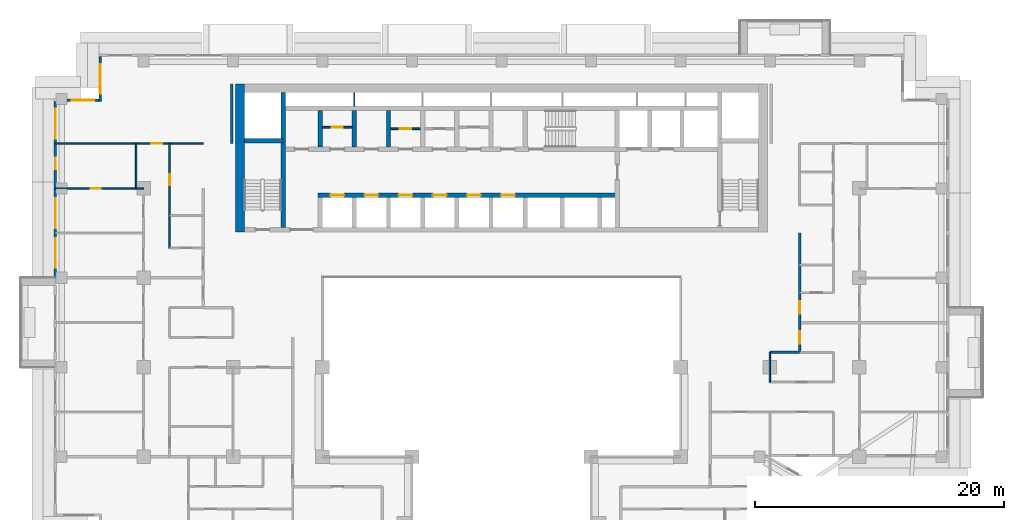
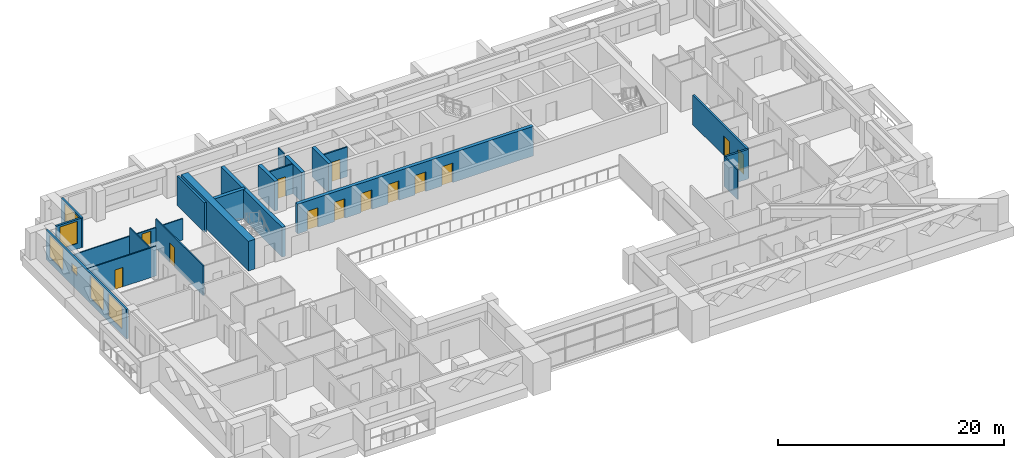
# One storey, part 9 of 19: 21 walls, 13 doors, 6 windows, 19 openings.
"""IFC4 building model written with IfcOpenShell, lengths in metres."""

from ifc_helpers import new_model, si_unit, direction, frame, frame_2d, origin, place, context, subcontext, project, spatial, rectangle, extrude, material, layer, layer_set, type_object, element, fill, save


model = new_model("IFC4")

# Units and contexts
model_context = context("Model", 3, precision=1e-05, world=origin(), true_north=direction((0.0, 1.0)))
body_context = subcontext(model_context, "Body", "Model", "MODEL_VIEW")
ifc_project = project(units=[si_unit("LENGTHUNIT", "METRE"), si_unit("AREAUNIT", "SQUARE_METRE"), si_unit("VOLUMEUNIT", "CUBIC_METRE"), si_unit("PLANEANGLEUNIT", "RADIAN"), si_unit("MASSUNIT", "GRAM", prefix="KILO")], contexts=[model_context])

# Site, building, storey
site_placement = place(None, origin())
site = spatial("IfcSite", under=ifc_project, at=site_placement, CompositionType="ELEMENT")
building_placement = place(site_placement, origin())
building = spatial("IfcBuilding", under=site, at=building_placement, Name="Saffron Iwan Residences", CompositionType="ELEMENT")
storey_placement = place(building_placement, frame((0.0, 0.0, 120.0)))
storey = spatial("IfcBuildingStorey", under=building, at=storey_placement, Name="L31", CompositionType="ELEMENT", Elevation=120.0)

# Wall, opening, door
ifc_material_1 = material(Name="Fire-rated plasterboard partition")
ifc_layer_1 = layer(ifc_material_1, 0.14990234375)
ifc_layer_set_1 = layer_set([ifc_layer_1], Name="Fire-rated plasterboard partition")
wall_type_1 = type_object("IfcWallType", Name="Core partition 150", PredefinedType="PARTITIONING", material=ifc_layer_set_1)
wall_1_placement = place(storey_placement, frame((35.97509765625, 74.51806640625, 0.0), z_axis=(0.0, 0.0, 1.0), x_axis=(1.0, 0.0, 0.0)))
wall_1 = element("IfcWall", 1, at=wall_1_placement, inside=storey, type_object=wall_type_1, Name="Core partition P01", PredefinedType="PARTITIONING", context=body_context, shape_type="SweptSolid", body=[
    extrude(rectangle(XDim=2.39990234375, YDim=0.14990234375, at=frame_2d((1.199951171875, 0.0))), origin(), (0.0, 0.0, 1.0), 3.199951171875),
])
opening_1_placement = place(wall_1_placement, frame((0.75, 0.0, 0.0)))
opening_1 = element("IfcOpeningElement", 2, at=opening_1_placement, cuts=wall_1, Name="Opening SB", PredefinedType="OPENING", context=body_context, shape_type="SweptSolid", body=[
    extrude(rectangle(XDim=0.89990234375, YDim=2.10009765625, at=frame_2d((0.449951171875, 1.050048828125))), frame((0.0, 0.0849609375, 0.0), z_axis=(0.0, -1.0, 0.0), x_axis=(1.0, 0.0, 0.0)), (0.0, 0.0, 1.0), 0.169921875),
])
ifc_material_2 = material(Name="Steel fire door", Category="steel")
door_type_1 = type_object("IfcDoorType", Name="Store door 900", OperationType="NOTDEFINED", PredefinedType="DOOR", material=ifc_material_2)
door_1_placement = place(opening_1_placement, origin())
door_1 = element("IfcDoor", 3, at=door_1_placement, inside=storey, type_object=door_type_1, Name="Door Records store", OperationType="SINGLE_SWING_RIGHT", OverallHeight=2.10009765625, OverallWidth=0.89990234375, PredefinedType="DOOR", context=body_context, shape_type="SweptSolid", body=[
    extrude(rectangle(XDim=0.89990234375, YDim=2.10009765625, at=frame_2d((0.449951171875, 1.050048828125))), frame((0.0, 0.02490234375, 0.0), z_axis=(0.0, -1.0, 0.0), x_axis=(1.0, 0.0, 0.0)), (0.0, 0.0, 1.0), 0.050048828125),
])
fill(opening_1, door_1)

wall_2_placement = place(storey_placement, frame((41.47509765625, 74.39990234375, 0.0), z_axis=(0.0, 0.0, 1.0), x_axis=(1.0, 0.0, 0.0)))
wall_2 = element("IfcWall", 4, at=wall_2_placement, inside=storey, type_object=wall_type_1, Name="Core partition P02", PredefinedType="PARTITIONING", context=body_context, shape_type="SweptSolid", body=[
    extrude(rectangle(XDim=2.39990234375, YDim=0.14990234375, at=frame_2d((1.199951171875, 0.0))), origin(), (0.0, 0.0, 1.0), 3.199951171875),
])
opening_2_placement = place(wall_2_placement, frame((0.75, 0.0, 0.0)))
opening_2 = element("IfcOpeningElement", 5, at=opening_2_placement, cuts=wall_2, Name="Opening SB", PredefinedType="OPENING", context=body_context, shape_type="SweptSolid", body=[
    extrude(rectangle(XDim=0.89990234375, YDim=2.10009765625, at=frame_2d((0.449951171875, 1.050048828125))), frame((0.0, 0.0849609375, 0.0), z_axis=(0.0, -1.0, 0.0), x_axis=(1.0, 0.0, 0.0)), (0.0, 0.0, 1.0), 0.169921875),
])
door_2_placement = place(opening_2_placement, origin())
door_2 = element("IfcDoor", 6, at=door_2_placement, inside=storey, type_object=door_type_1, Name="Door Tool store", OperationType="SINGLE_SWING_LEFT", OverallHeight=2.10009765625, OverallWidth=0.89990234375, PredefinedType="DOOR", context=body_context, shape_type="SweptSolid", body=[
    extrude(rectangle(XDim=0.89990234375, YDim=2.10009765625, at=frame_2d((0.449951171875, 1.050048828125))), frame((0.0, 0.02490234375, 0.0), z_axis=(0.0, -1.0, 0.0), x_axis=(1.0, 0.0, 0.0)), (0.0, 0.0, 1.0), 0.050048828125),
])
fill(opening_2, door_2)

# Wall, opening, window
ifc_material_3 = material(Name="Concrete C40/50", Category="concrete")
ifc_layer_2 = layer(ifc_material_3, 0.199951171875)
ifc_layer_set_2 = layer_set([ifc_layer_2], Name="Concrete C40/50")
wall_type_2 = type_object("IfcWallType", Name="EXTERNAL WALL 200", PredefinedType="SOLIDWALL", material=ifc_layer_set_2)
wall_3_placement = place(storey_placement, frame((18.10009765625, 80.199951171875, 0.0), z_axis=(0.0, 0.0, 1.0), x_axis=(0.0, -1.0, 0.0)))
wall_3 = element("IfcWall", 7, at=wall_3_placement, inside=storey, type_object=wall_type_2, Name="External wall L31 F6.0", PredefinedType="SOLIDWALL", context=body_context, shape_type="SweptSolid", body=[
    extrude(rectangle(XDim=3.599853515625, YDim=0.199951171875, at=frame_2d((1.7998046875, 0.0))), origin(), (0.0, 0.0, 1.0), 3.199951171875),
])
opening_3_placement = place(wall_3_placement, frame((0.60009765625, 0.0, 0.60009765625)))
opening_3 = element("IfcOpeningElement", 8, at=opening_3_placement, cuts=wall_3, Name="Opening W1", PredefinedType="OPENING", context=body_context, shape_type="SweptSolid", body=[
    extrude(rectangle(XDim=2.39990234375, YDim=2.39990234375, at=frame_2d((1.199951171875, 1.199951171875))), frame((0.0, 0.10986328125, 0.0), z_axis=(0.0, -1.0, 0.0), x_axis=(1.0, 0.0, 0.0)), (0.0, 0.0, 1.0), 0.219970703125),
])
ifc_material_4 = material(Name="Clear glass, laminated double glazed", Category="glass")
window_type_1 = type_object("IfcWindowType", Name="WINDOW 2400 x 2400", PartitioningType="DOUBLE_PANEL_VERTICAL", PredefinedType="WINDOW", material=ifc_material_4)
window_1_placement = place(opening_3_placement, origin())
window_1 = element("IfcWindow", 9, at=window_1_placement, inside=storey, type_object=window_type_1, Name="Window L31 F6.0", OverallHeight=2.39990234375, OverallWidth=2.39990234375, PartitioningType="DOUBLE_PANEL_VERTICAL", PredefinedType="WINDOW", context=body_context, shape_type="SweptSolid", body=[
    extrude(rectangle(XDim=2.39990234375, YDim=2.39990234375, at=frame_2d((1.199951171875, 1.199951171875))), frame((0.0, 0.030029296875, 0.0), z_axis=(0.0, -1.0, 0.0), x_axis=(1.0, 0.0, 0.0)), (0.0, 0.0, 1.0), 0.06005859375),
])
fill(opening_3, window_1)

wall_4_placement = place(storey_placement, frame((18.0, 76.699951171875, 0.0), z_axis=(0.0, 0.0, 1.0), x_axis=(-1.0, 0.0, 0.0)))
wall_4 = element("IfcWall", 10, at=wall_4_placement, inside=storey, type_object=wall_type_2, Name="External wall L31 F7.0", PredefinedType="SOLIDWALL", context=body_context, shape_type="SweptSolid", body=[
    extrude(rectangle(XDim=2.550048828125, YDim=0.199951171875, at=frame_2d((1.27490234375, 0.0))), origin(), (0.0, 0.0, 1.0), 3.199951171875),
])
opening_4_placement = place(wall_4_placement, frame((0.375, 0.0, 0.60009765625)))
opening_4 = element("IfcOpeningElement", 11, at=opening_4_placement, cuts=wall_4, Name="Opening W8", PredefinedType="OPENING", context=body_context, shape_type="SweptSolid", body=[
    extrude(rectangle(XDim=1.800048828125, YDim=2.39990234375, at=frame_2d((0.89990234375, 1.199951171875))), frame((0.0, 0.10986328125, 0.0), z_axis=(0.0, -1.0, 0.0), x_axis=(1.0, 0.0, 0.0)), (0.0, 0.0, 1.0), 0.219970703125),
])
window_type_2 = type_object("IfcWindowType", Name="WINDOW 1800 x 2400", PartitioningType="DOUBLE_PANEL_VERTICAL", PredefinedType="WINDOW", material=ifc_material_4)
window_2_placement = place(opening_4_placement, origin())
window_2 = element("IfcWindow", 12, at=window_2_placement, inside=storey, type_object=window_type_2, Name="Window L31 F7.0", OverallHeight=2.39990234375, OverallWidth=1.800048828125, PartitioningType="DOUBLE_PANEL_VERTICAL", PredefinedType="WINDOW", context=body_context, shape_type="SweptSolid", body=[
    extrude(rectangle(XDim=1.800048828125, YDim=2.39990234375, at=frame_2d((0.89990234375, 1.199951171875))), frame((0.0, 0.030029296875, 0.0), z_axis=(0.0, -1.0, 0.0), x_axis=(1.0, 0.0, 0.0)), (0.0, 0.0, 1.0), 0.06005859375),
])
fill(opening_4, window_2)

# Wall, openings, windows
wall_5_placement = place(storey_placement, frame((14.5, 76.60009765625, 0.0), z_axis=(0.0, 0.0, 1.0), x_axis=(0.0, -1.0, 0.0)))
wall_5 = element("IfcWall", 13, at=wall_5_placement, inside=storey, type_object=wall_type_2, Name="External wall L31 F8.0", PredefinedType="SOLIDWALL", context=body_context, shape_type="SweptSolid", body=[
    extrude(rectangle(XDim=14.2001953125, YDim=0.199951171875, at=frame_2d((7.10009765625, 0.0))), origin(), (0.0, 0.0, 1.0), 3.199951171875),
])
opening_5_placement = place(wall_5_placement, frame((11.0, 0.0, 0.60009765625)))
opening_5 = element("IfcOpeningElement", 14, at=opening_5_placement, cuts=wall_5, Name="Opening W1", PredefinedType="OPENING", context=body_context, shape_type="SweptSolid", body=[
    extrude(rectangle(XDim=2.39990234375, YDim=2.39990234375, at=frame_2d((1.199951171875, 1.199951171875))), frame((0.0, 0.10986328125, 0.0), z_axis=(0.0, -1.0, 0.0), x_axis=(1.0, 0.0, 0.0)), (0.0, 0.0, 1.0), 0.219970703125),
])
opening_6_placement = place(wall_5_placement, frame((7.800048828125, 0.0, 0.60009765625)))
opening_6 = element("IfcOpeningElement", 15, at=opening_6_placement, cuts=wall_5, Name="Opening W1", PredefinedType="OPENING", context=body_context, shape_type="SweptSolid", body=[
    extrude(rectangle(XDim=2.39990234375, YDim=2.39990234375, at=frame_2d((1.199951171875, 1.199951171875))), frame((0.0, 0.10986328125, 0.0), z_axis=(0.0, -1.0, 0.0), x_axis=(1.0, 0.0, 0.0)), (0.0, 0.0, 1.0), 0.219970703125),
])
opening_7_placement = place(wall_5_placement, frame((4.550048828125, 0.0, 1.5)))
opening_7 = element("IfcOpeningElement", 16, at=opening_7_placement, cuts=wall_5, Name="Opening W6", PredefinedType="OPENING", context=body_context, shape_type="SweptSolid", body=[
    extrude(rectangle(XDim=0.89990234375, YDim=0.89990234375, at=frame_2d((0.449951171875, 0.449951171875))), frame((0.0, 0.10986328125, 0.0), z_axis=(0.0, -1.0, 0.0), x_axis=(1.0, 0.0, 0.0)), (0.0, 0.0, 1.0), 0.219970703125),
])
opening_8_placement = place(wall_5_placement, frame((0.60009765625, 0.0, 0.60009765625)))
opening_8 = element("IfcOpeningElement", 17, at=opening_8_placement, cuts=wall_5, Name="Opening W1", PredefinedType="OPENING", context=body_context, shape_type="SweptSolid", body=[
    extrude(rectangle(XDim=2.39990234375, YDim=2.39990234375, at=frame_2d((1.199951171875, 1.199951171875))), frame((0.0, 0.10986328125, 0.0), z_axis=(0.0, -1.0, 0.0), x_axis=(1.0, 0.0, 0.0)), (0.0, 0.0, 1.0), 0.219970703125),
])
window_3_placement = place(opening_5_placement, origin())
window_3 = element("IfcWindow", 18, at=window_3_placement, inside=storey, type_object=window_type_1, Name="Window L31 F8.0", OverallHeight=2.39990234375, OverallWidth=2.39990234375, PartitioningType="DOUBLE_PANEL_VERTICAL", PredefinedType="WINDOW", context=body_context, shape_type="SweptSolid", body=[
    extrude(rectangle(XDim=2.39990234375, YDim=2.39990234375, at=frame_2d((1.199951171875, 1.199951171875))), frame((0.0, 0.030029296875, 0.0), z_axis=(0.0, -1.0, 0.0), x_axis=(1.0, 0.0, 0.0)), (0.0, 0.0, 1.0), 0.06005859375),
])
fill(opening_5, window_3)
window_4_placement = place(opening_6_placement, origin())
window_4 = element("IfcWindow", 19, at=window_4_placement, inside=storey, type_object=window_type_1, Name="Window L31 F8.1", OverallHeight=2.39990234375, OverallWidth=2.39990234375, PartitioningType="DOUBLE_PANEL_VERTICAL", PredefinedType="WINDOW", context=body_context, shape_type="SweptSolid", body=[
    extrude(rectangle(XDim=2.39990234375, YDim=2.39990234375, at=frame_2d((1.199951171875, 1.199951171875))), frame((0.0, 0.030029296875, 0.0), z_axis=(0.0, -1.0, 0.0), x_axis=(1.0, 0.0, 0.0)), (0.0, 0.0, 1.0), 0.06005859375),
])
fill(opening_6, window_4)
window_5_placement = place(opening_8_placement, origin())
window_5 = element("IfcWindow", 20, at=window_5_placement, inside=storey, type_object=window_type_1, Name="Window L31 F8.3", OverallHeight=2.39990234375, OverallWidth=2.39990234375, PartitioningType="DOUBLE_PANEL_VERTICAL", PredefinedType="WINDOW", context=body_context, shape_type="SweptSolid", body=[
    extrude(rectangle(XDim=2.39990234375, YDim=2.39990234375, at=frame_2d((1.199951171875, 1.199951171875))), frame((0.0, 0.030029296875, 0.0), z_axis=(0.0, -1.0, 0.0), x_axis=(1.0, 0.0, 0.0)), (0.0, 0.0, 1.0), 0.06005859375),
])
fill(opening_8, window_5)
window_type_3 = type_object("IfcWindowType", Name="WINDOW 900 x 900 BATH", PartitioningType="SINGLE_PANEL", PredefinedType="WINDOW", material=ifc_material_4)
window_6_placement = place(opening_7_placement, origin())
window_6 = element("IfcWindow", 21, at=window_6_placement, inside=storey, type_object=window_type_3, Name="Window L31 F8.2", OverallHeight=0.89990234375, OverallWidth=0.89990234375, PartitioningType="SINGLE_PANEL", PredefinedType="WINDOW", context=body_context, shape_type="SweptSolid", body=[
    extrude(rectangle(XDim=0.89990234375, YDim=0.89990234375, at=frame_2d((0.449951171875, 0.449951171875))), frame((0.0, 0.030029296875, 0.0), z_axis=(0.0, -1.0, 0.0), x_axis=(1.0, 0.0, 0.0)), (0.0, 0.0, 1.0), 0.06005859375),
])
fill(opening_7, window_6)

# Wall, opening, door
ifc_material_5 = material(Name="Gypsum board partition")
ifc_layer_3 = layer(ifc_material_5, 0.1201171875)
ifc_layer_set_3 = layer_set([ifc_layer_3], Name="Gypsum board partition")
wall_type_3 = type_object("IfcWallType", Name="Flat partition 120", PredefinedType="PARTITIONING", material=ifc_layer_set_3)
wall_6_placement = place(storey_placement, frame((14.52490234375, 69.60009765625, 0.0), z_axis=(0.0, 0.0, 1.0), x_axis=(1.0, 0.0, 0.0)))
wall_6 = element("IfcWall", 22, at=wall_6_placement, inside=storey, type_object=wall_type_3, Name="W-L31-PART-h69.6-14.525", PredefinedType="PARTITIONING", context=body_context, shape_type="SweptSolid", body=[
    extrude(rectangle(XDim=7.0751953125, YDim=0.1201171875, at=frame_2d((3.53759765625, 0.0))), origin(), (0.0, 0.0, 1.0), 3.199951171875),
])
opening_9_placement = place(wall_6_placement, frame((2.83740234375, 0.0, 0.0)))
opening_9 = element("IfcOpeningElement", 23, at=opening_9_placement, cuts=wall_6, Name="Opening FD3", PredefinedType="OPENING", context=body_context, shape_type="SweptSolid", body=[
    extrude(rectangle(XDim=0.800048828125, YDim=2.10009765625, at=frame_2d((0.39990234375, 1.050048828125))), frame((0.0, 0.070068359375, 0.0), z_axis=(0.0, -1.0, 0.0), x_axis=(1.0, 0.0, 0.0)), (0.0, 0.0, 1.0), 0.14013671875),
])
ifc_material_6 = material(Name="Timber door", Category="wood")
door_type_2 = type_object("IfcDoorType", Name="Bathroom door 800", OperationType="NOTDEFINED", PredefinedType="DOOR", material=ifc_material_6)
door_3_placement = place(opening_9_placement, origin())
door_3 = element("IfcDoor", 24, at=door_3_placement, inside=storey, type_object=door_type_2, Name="Door L31-025", OperationType="SINGLE_SWING_LEFT", OverallHeight=2.10009765625, OverallWidth=0.800048828125, PredefinedType="DOOR", context=body_context, shape_type="SweptSolid", body=[
    extrude(rectangle(XDim=0.800048828125, YDim=2.10009765625, at=frame_2d((0.39990234375, 1.050048828125))), frame((0.0, 0.02490234375, 0.0), z_axis=(0.0, -1.0, 0.0), x_axis=(1.0, 0.0, 0.0)), (0.0, 0.0, 1.0), 0.050048828125),
])
fill(opening_9, door_3)

wall_7_placement = place(storey_placement, frame((14.52490234375, 73.199951171875, 0.0), z_axis=(0.0, 0.0, 1.0), x_axis=(1.0, 0.0, 0.0)))
wall_7 = element("IfcWall", 25, at=wall_7_placement, inside=storey, type_object=wall_type_3, Name="W-L31-PART-h73.2-14.525", PredefinedType="PARTITIONING", context=body_context, shape_type="SweptSolid", body=[
    extrude(rectangle(XDim=11.875, YDim=0.1201171875, at=frame_2d((5.9375, 0.0))), origin(), (0.0, 0.0, 1.0), 2.300048828125),
])
opening_10_placement = place(wall_7_placement, frame((7.675048828125, 0.0, 0.0)))
opening_10 = element("IfcOpeningElement", 26, at=opening_10_placement, cuts=wall_7, Name="Opening FD2", PredefinedType="OPENING", context=body_context, shape_type="SweptSolid", body=[
    extrude(rectangle(XDim=0.89990234375, YDim=2.10009765625, at=frame_2d((0.449951171875, 1.050048828125))), frame((0.0, 0.070068359375, 0.0), z_axis=(0.0, -1.0, 0.0), x_axis=(1.0, 0.0, 0.0)), (0.0, 0.0, 1.0), 0.14013671875),
])
door_type_3 = type_object("IfcDoorType", Name="Flat door 900", OperationType="NOTDEFINED", PredefinedType="DOOR", material=ifc_material_6)
door_4_placement = place(opening_10_placement, origin())
door_4 = element("IfcDoor", 27, at=door_4_placement, inside=storey, type_object=door_type_3, Name="Door L31-026", OperationType="SINGLE_SWING_LEFT", OverallHeight=2.10009765625, OverallWidth=0.89990234375, PredefinedType="DOOR", context=body_context, shape_type="SweptSolid", body=[
    extrude(rectangle(XDim=0.89990234375, YDim=2.10009765625, at=frame_2d((0.449951171875, 1.050048828125))), frame((0.0, 0.02490234375, 0.0), z_axis=(0.0, -1.0, 0.0), x_axis=(1.0, 0.0, 0.0)), (0.0, 0.0, 1.0), 0.050048828125),
])
fill(opening_10, door_4)

# Wall
wall_8_placement = place(storey_placement, frame((21.0, 69.60009765625, 0.0), z_axis=(0.0, 0.0, 1.0), x_axis=(0.0, 1.0, 0.0)))
element("IfcWall", 28, at=wall_8_placement, inside=storey, type_object=wall_type_3, Name="W-L31-PART-v21-69.6", PredefinedType="PARTITIONING", context=body_context, shape_type="SweptSolid", body=[
    extrude(rectangle(XDim=3.599853515625, YDim=0.1201171875, at=frame_2d((1.7998046875, 0.0))), origin(), (0.0, 0.0, 1.0), 3.199951171875),
])

# Wall, opening, door
wall_9_placement = place(storey_placement, frame((23.699951171875, 64.800048828125, 0.0), z_axis=(0.0, 0.0, 1.0), x_axis=(0.0, 1.0, 0.0)))
wall_9 = element("IfcWall", 29, at=wall_9_placement, inside=storey, type_object=wall_type_3, Name="W-L31-PART-v23.7-64.8", PredefinedType="PARTITIONING", context=body_context, shape_type="SweptSolid", body=[
    extrude(rectangle(XDim=8.39990234375, YDim=0.1201171875, at=frame_2d((4.199951171875, 0.0))), origin(), (0.0, 0.0, 1.0), 3.199951171875),
])
opening_11_placement = place(wall_9_placement, frame((5.050048828125, 0.0, 0.0)))
opening_11 = element("IfcOpeningElement", 30, at=opening_11_placement, cuts=wall_9, Name="Opening FD2", PredefinedType="OPENING", context=body_context, shape_type="SweptSolid", body=[
    extrude(rectangle(XDim=0.89990234375, YDim=2.10009765625, at=frame_2d((0.449951171875, 1.050048828125))), frame((0.0, 0.070068359375, 0.0), z_axis=(0.0, -1.0, 0.0), x_axis=(1.0, 0.0, 0.0)), (0.0, 0.0, 1.0), 0.14013671875),
])
door_5_placement = place(opening_11_placement, origin())
door_5 = element("IfcDoor", 31, at=door_5_placement, inside=storey, type_object=door_type_3, Name="Door L31-028", OperationType="SINGLE_SWING_LEFT", OverallHeight=2.10009765625, OverallWidth=0.89990234375, PredefinedType="DOOR", context=body_context, shape_type="SweptSolid", body=[
    extrude(rectangle(XDim=0.89990234375, YDim=2.10009765625, at=frame_2d((0.449951171875, 1.050048828125))), frame((0.0, 0.02490234375, 0.0), z_axis=(0.0, -1.0, 0.0), x_axis=(1.0, 0.0, 0.0)), (0.0, 0.0, 1.0), 0.050048828125),
])
fill(opening_11, door_5)

# Walls
wall_10_placement = place(storey_placement, frame((72.0, 54.0, 0.0), z_axis=(0.0, 0.0, 1.0), x_axis=(0.0, 1.0, 0.0)))
element("IfcWall", 32, at=wall_10_placement, inside=storey, type_object=wall_type_3, Name="W-L31-PART-v72-54", PredefinedType="PARTITIONING", context=body_context, shape_type="SweptSolid", body=[
    extrude(rectangle(XDim=2.39990234375, YDim=0.1201171875, at=frame_2d((1.199951171875, 0.0))), origin(), (0.0, 0.0, 1.0), 3.199951171875),
])
ifc_material_7 = material(Name="Fire-rated gypsum board wall")
ifc_layer_4 = layer(ifc_material_7, 0.199951171875)
ifc_layer_set_4 = layer_set([ifc_layer_4], Name="Fire-rated gypsum board wall")
wall_type_4 = type_object("IfcWallType", Name="Gallery wall 200", PredefinedType="SOLIDWALL", material=ifc_layer_set_4)
wall_11_placement = place(storey_placement, frame((72.0, 56.39990234375, 0.0), z_axis=(0.0, 0.0, 1.0), x_axis=(1.0, 0.0, 0.0)))
element("IfcWall", 33, at=wall_11_placement, inside=storey, type_object=wall_type_4, Name="W-L31-CORR-h56.4-72", PredefinedType="SOLIDWALL", context=body_context, shape_type="SweptSolid", body=[
    extrude(rectangle(XDim=2.39990234375, YDim=0.199951171875, at=frame_2d((1.199951171875, 0.0))), origin(), (0.0, 0.0, 1.0), 3.199951171875),
])
wall_12_placement = place(storey_placement, frame((28.699951171875, 73.199951171875, 0.0), z_axis=(0.0, 0.0, 1.0), x_axis=(0.0, 1.0, 0.0)))
element("IfcWall", 34, at=wall_12_placement, inside=storey, type_object=wall_type_4, Name="W-L31-CORR-v28.8-73.2", PredefinedType="SOLIDWALL", context=body_context, shape_type="SweptSolid", body=[
    extrude(rectangle(XDim=4.800048828125, YDim=0.199951171875, at=frame_2d((2.39990234375, 0.0))), origin(), (0.0, 0.0, 1.0), 3.199951171875),
])

# Wall, openings, doors
wall_13_placement = place(storey_placement, frame((74.39990234375, 56.39990234375, 0.0), z_axis=(0.0, 0.0, 1.0), x_axis=(0.0, 1.0, 0.0)))
wall_13 = element("IfcWall", 35, at=wall_13_placement, inside=storey, type_object=wall_type_4, Name="W-L31-CORR-v74.4-56.4", PredefinedType="SOLIDWALL", context=body_context, shape_type="SweptSolid", body=[
    extrude(rectangle(XDim=9.60009765625, YDim=0.199951171875, at=frame_2d((4.800048828125, 0.0))), origin(), (0.0, 0.0, 1.0), 3.199951171875),
])
opening_12_placement = place(wall_13_placement, frame((0.699951171875, 0.0, 0.0)))
opening_12 = element("IfcOpeningElement", 36, at=opening_12_placement, cuts=wall_13, Name="Opening FD1", PredefinedType="OPENING", context=body_context, shape_type="SweptSolid", body=[
    extrude(rectangle(XDim=1.0, YDim=2.10009765625, at=frame_2d((0.5, 1.050048828125))), frame((0.0, 0.10986328125, 0.0), z_axis=(0.0, -1.0, 0.0), x_axis=(1.0, 0.0, 0.0)), (0.0, 0.0, 1.0), 0.219970703125),
])
opening_13_placement = place(wall_13_placement, frame((3.10009765625, 0.0, 0.0)))
opening_13 = element("IfcOpeningElement", 37, at=opening_13_placement, cuts=wall_13, Name="Opening FD1", PredefinedType="OPENING", context=body_context, shape_type="SweptSolid", body=[
    extrude(rectangle(XDim=1.0, YDim=2.10009765625, at=frame_2d((0.5, 1.050048828125))), frame((0.0, 0.10986328125, 0.0), z_axis=(0.0, -1.0, 0.0), x_axis=(1.0, 0.0, 0.0)), (0.0, 0.0, 1.0), 0.219970703125),
])
ifc_material_8 = material(Name="Fire-rated timber door", Category="wood")
door_type_4 = type_object("IfcDoorType", Name="FD30S flat entrance door 1000", OperationType="NOTDEFINED", PredefinedType="DOOR", material=ifc_material_8)
door_6_placement = place(opening_12_placement, origin())
door_6 = element("IfcDoor", 38, at=door_6_placement, inside=storey, type_object=door_type_4, Name="Door L31-016", OperationType="SINGLE_SWING_LEFT", OverallHeight=2.10009765625, OverallWidth=1.0, PredefinedType="DOOR", context=body_context, shape_type="SweptSolid", body=[
    extrude(rectangle(XDim=1.0, YDim=2.10009765625, at=frame_2d((0.5, 1.050048828125))), frame((0.0, 0.02490234375, 0.0), z_axis=(0.0, -1.0, 0.0), x_axis=(1.0, 0.0, 0.0)), (0.0, 0.0, 1.0), 0.050048828125),
])
fill(opening_12, door_6)
door_7_placement = place(opening_13_placement, origin())
door_7 = element("IfcDoor", 39, at=door_7_placement, inside=storey, type_object=door_type_4, Name="Door L31-029", OperationType="SINGLE_SWING_LEFT", OverallHeight=2.10009765625, OverallWidth=1.0, PredefinedType="DOOR", context=body_context, shape_type="SweptSolid", body=[
    extrude(rectangle(XDim=1.0, YDim=2.10009765625, at=frame_2d((0.5, 1.050048828125))), frame((0.0, 0.02490234375, 0.0), z_axis=(0.0, -1.0, 0.0), x_axis=(1.0, 0.0, 0.0)), (0.0, 0.0, 1.0), 0.050048828125),
])
fill(opening_13, door_7)

# Wall
ifc_layer_5 = layer(ifc_material_1, 0.10009765625)
ifc_layer_set_5 = layer_set([ifc_layer_5], Name="Fire-rated plasterboard partition")
wall_type_5 = type_object("IfcWallType", Name="Riser partition 100", PredefinedType="PARTITIONING", material=ifc_layer_set_5)
wall_14_placement = place(storey_placement, frame((38.550048828125, 76.22509765625, 0.0), z_axis=(0.0, 0.0, 1.0), x_axis=(0.0, 1.0, 0.0)))
element("IfcWall", 40, at=wall_14_placement, inside=storey, type_object=wall_type_5, Name="Core partition P05", PredefinedType="PARTITIONING", context=body_context, shape_type="SweptSolid", body=[
    extrude(rectangle(XDim=1.074951171875, YDim=0.10009765625, at=frame_2d((0.53759765625, 0.0))), origin(), (0.0, 0.0, 1.0), 3.199951171875),
])

# Wall, openings, doors
ifc_material_9 = material(Name="Concrete C50/60", Category="concrete")
ifc_layer_6 = layer(ifc_material_9, 0.35009765625)
ifc_layer_set_6 = layer_set([ifc_layer_6], Name="Concrete C50/60")
wall_type_6 = type_object("IfcWallType", Name="WALL CORE 350 C50/60 3200 HIGH", PredefinedType="SHEAR", material=ifc_layer_set_6)
wall_15_placement = place(storey_placement, frame((35.625, 69.050048828125, 0.0), z_axis=(0.0, 0.0, 1.0), x_axis=(1.0, 0.0, 0.0)))
wall_15 = element("IfcWall", 41, at=wall_15_placement, inside=storey, type_object=wall_type_6, Name="Core wall", PredefinedType="SHEAR", context=body_context, shape_type="SweptSolid", body=[
    extrude(rectangle(XDim=24.10009765625, YDim=0.35009765625, at=frame_2d((12.050048828125, 0.0))), origin(), (0.0, 0.0, 1.0), 3.199951171875),
])
opening_14_placement = place(wall_15_placement, frame((1.0, 0.0, 0.0)))
opening_14 = element("IfcOpeningElement", 42, at=opening_14_placement, cuts=wall_15, Name="Opening LD", PredefinedType="OPENING", context=body_context, shape_type="SweptSolid", body=[
    extrude(rectangle(XDim=1.10009765625, YDim=2.10009765625, at=frame_2d((0.550048828125, 1.050048828125))), frame((0.0, 0.18505859375, 0.0), z_axis=(0.0, -1.0, 0.0), x_axis=(1.0, 0.0, 0.0)), (0.0, 0.0, 1.0), 0.3701171875),
])
opening_15_placement = place(wall_15_placement, frame((3.75, 0.0, 0.0)))
opening_15 = element("IfcOpeningElement", 43, at=opening_15_placement, cuts=wall_15, Name="Opening LD", PredefinedType="OPENING", context=body_context, shape_type="SweptSolid", body=[
    extrude(rectangle(XDim=1.10009765625, YDim=2.10009765625, at=frame_2d((0.550048828125, 1.050048828125))), frame((0.0, 0.18505859375, 0.0), z_axis=(0.0, -1.0, 0.0), x_axis=(1.0, 0.0, 0.0)), (0.0, 0.0, 1.0), 0.3701171875),
])
opening_16_placement = place(wall_15_placement, frame((6.5, 0.0, 0.0)))
opening_16 = element("IfcOpeningElement", 44, at=opening_16_placement, cuts=wall_15, Name="Opening LD", PredefinedType="OPENING", context=body_context, shape_type="SweptSolid", body=[
    extrude(rectangle(XDim=1.10009765625, YDim=2.10009765625, at=frame_2d((0.550048828125, 1.050048828125))), frame((0.0, 0.18505859375, 0.0), z_axis=(0.0, -1.0, 0.0), x_axis=(1.0, 0.0, 0.0)), (0.0, 0.0, 1.0), 0.3701171875),
])
opening_17_placement = place(wall_15_placement, frame((9.25, 0.0, 0.0)))
opening_17 = element("IfcOpeningElement", 45, at=opening_17_placement, cuts=wall_15, Name="Opening LD", PredefinedType="OPENING", context=body_context, shape_type="SweptSolid", body=[
    extrude(rectangle(XDim=1.10009765625, YDim=2.10009765625, at=frame_2d((0.550048828125, 1.050048828125))), frame((0.0, 0.18505859375, 0.0), z_axis=(0.0, -1.0, 0.0), x_axis=(1.0, 0.0, 0.0)), (0.0, 0.0, 1.0), 0.3701171875),
])
opening_18_placement = place(wall_15_placement, frame((12.0, 0.0, 0.0)))
opening_18 = element("IfcOpeningElement", 46, at=opening_18_placement, cuts=wall_15, Name="Opening LD", PredefinedType="OPENING", context=body_context, shape_type="SweptSolid", body=[
    extrude(rectangle(XDim=1.10009765625, YDim=2.10009765625, at=frame_2d((0.550048828125, 1.050048828125))), frame((0.0, 0.18505859375, 0.0), z_axis=(0.0, -1.0, 0.0), x_axis=(1.0, 0.0, 0.0)), (0.0, 0.0, 1.0), 0.3701171875),
])
opening_19_placement = place(wall_15_placement, frame((14.75, 0.0, 0.0)))
opening_19 = element("IfcOpeningElement", 47, at=opening_19_placement, cuts=wall_15, Name="Opening LD", PredefinedType="OPENING", context=body_context, shape_type="SweptSolid", body=[
    extrude(rectangle(XDim=1.10009765625, YDim=2.10009765625, at=frame_2d((0.550048828125, 1.050048828125))), frame((0.0, 0.18505859375, 0.0), z_axis=(0.0, -1.0, 0.0), x_axis=(1.0, 0.0, 0.0)), (0.0, 0.0, 1.0), 0.3701171875),
])
door_type_5 = type_object("IfcDoorType", Name="Lift landing door 1100", OperationType="SLIDING_TO_LEFT", PredefinedType="DOOR", material=ifc_material_2)
door_8_placement = place(opening_14_placement, origin())
door_8 = element("IfcDoor", 48, at=door_8_placement, inside=storey, type_object=door_type_5, Name="Landing doors LR1", OperationType="SLIDING_TO_LEFT", OverallHeight=2.10009765625, OverallWidth=1.10009765625, PredefinedType="DOOR", context=body_context, shape_type="SweptSolid", body=[
    extrude(rectangle(XDim=1.10009765625, YDim=2.10009765625, at=frame_2d((0.550048828125, 1.050048828125))), frame((0.0, 0.02490234375, 0.0), z_axis=(0.0, -1.0, 0.0), x_axis=(1.0, 0.0, 0.0)), (0.0, 0.0, 1.0), 0.050048828125),
])
fill(opening_14, door_8)
door_9_placement = place(opening_15_placement, origin())
door_9 = element("IfcDoor", 49, at=door_9_placement, inside=storey, type_object=door_type_5, Name="Landing doors LR2", OperationType="SLIDING_TO_LEFT", OverallHeight=2.10009765625, OverallWidth=1.10009765625, PredefinedType="DOOR", context=body_context, shape_type="SweptSolid", body=[
    extrude(rectangle(XDim=1.10009765625, YDim=2.10009765625, at=frame_2d((0.550048828125, 1.050048828125))), frame((0.0, 0.02490234375, 0.0), z_axis=(0.0, -1.0, 0.0), x_axis=(1.0, 0.0, 0.0)), (0.0, 0.0, 1.0), 0.050048828125),
])
fill(opening_15, door_9)
door_10_placement = place(opening_16_placement, origin())
door_10 = element("IfcDoor", 50, at=door_10_placement, inside=storey, type_object=door_type_5, Name="Landing doors LR3", OperationType="SLIDING_TO_LEFT", OverallHeight=2.10009765625, OverallWidth=1.10009765625, PredefinedType="DOOR", context=body_context, shape_type="SweptSolid", body=[
    extrude(rectangle(XDim=1.10009765625, YDim=2.10009765625, at=frame_2d((0.550048828125, 1.050048828125))), frame((0.0, 0.02490234375, 0.0), z_axis=(0.0, -1.0, 0.0), x_axis=(1.0, 0.0, 0.0)), (0.0, 0.0, 1.0), 0.050048828125),
])
fill(opening_16, door_10)
door_11_placement = place(opening_17_placement, origin())
door_11 = element("IfcDoor", 51, at=door_11_placement, inside=storey, type_object=door_type_5, Name="Landing doors LR4", OperationType="SLIDING_TO_LEFT", OverallHeight=2.10009765625, OverallWidth=1.10009765625, PredefinedType="DOOR", context=body_context, shape_type="SweptSolid", body=[
    extrude(rectangle(XDim=1.10009765625, YDim=2.10009765625, at=frame_2d((0.550048828125, 1.050048828125))), frame((0.0, 0.02490234375, 0.0), z_axis=(0.0, -1.0, 0.0), x_axis=(1.0, 0.0, 0.0)), (0.0, 0.0, 1.0), 0.050048828125),
])
fill(opening_17, door_11)
door_12_placement = place(opening_18_placement, origin())
door_12 = element("IfcDoor", 52, at=door_12_placement, inside=storey, type_object=door_type_5, Name="Landing doors LR5", OperationType="SLIDING_TO_LEFT", OverallHeight=2.10009765625, OverallWidth=1.10009765625, PredefinedType="DOOR", context=body_context, shape_type="SweptSolid", body=[
    extrude(rectangle(XDim=1.10009765625, YDim=2.10009765625, at=frame_2d((0.550048828125, 1.050048828125))), frame((0.0, 0.02490234375, 0.0), z_axis=(0.0, -1.0, 0.0), x_axis=(1.0, 0.0, 0.0)), (0.0, 0.0, 1.0), 0.050048828125),
])
fill(opening_18, door_12)
door_13_placement = place(opening_19_placement, origin())
door_13 = element("IfcDoor", 53, at=door_13_placement, inside=storey, type_object=door_type_5, Name="Landing doors LR6", OperationType="SLIDING_TO_LEFT", OverallHeight=2.10009765625, OverallWidth=1.10009765625, PredefinedType="DOOR", context=body_context, shape_type="SweptSolid", body=[
    extrude(rectangle(XDim=1.10009765625, YDim=2.10009765625, at=frame_2d((0.550048828125, 1.050048828125))), frame((0.0, 0.02490234375, 0.0), z_axis=(0.0, -1.0, 0.0), x_axis=(1.0, 0.0, 0.0)), (0.0, 0.0, 1.0), 0.050048828125),
])
fill(opening_19, door_13)

# Walls
wall_16_placement = place(storey_placement, frame((29.699951171875, 73.425048828125, 0.0), z_axis=(0.0, 0.0, 1.0), x_axis=(1.0, 0.0, 0.0)))
element("IfcWall", 54, at=wall_16_placement, inside=storey, type_object=wall_type_6, Name="Core wall", PredefinedType="SHEAR", context=body_context, shape_type="SweptSolid", body=[
    extrude(rectangle(XDim=3.125, YDim=0.35009765625, at=frame_2d((1.5625, 0.0))), origin(), (0.0, 0.0, 1.0), 3.199951171875),
])
wall_17_placement = place(storey_placement, frame((32.824951171875, 66.449951171875, 0.0), z_axis=(0.0, 0.0, 1.0), x_axis=(0.0, 1.0, 0.0)))
element("IfcWall", 55, at=wall_17_placement, inside=storey, type_object=wall_type_6, Name="Core wall", PredefinedType="SHEAR", context=body_context, shape_type="SweptSolid", body=[
    extrude(rectangle(XDim=10.85009765625, YDim=0.35009765625, at=frame_2d((5.425048828125, 0.0))), origin(), (0.0, 0.0, 1.0), 3.199951171875),
])
for number, where, z_axis, x_axis, name in (
    (56, (35.800048828125, 72.925048828125, 0.0), (0.0, 0.0, 1.0), (0.0, 1.0, 0.0), "Core wall"),
    (57, (38.550048828125, 72.925048828125, 0.0), (0.0, 0.0, 1.0), (0.0, 1.0, 0.0), "Core wall"),
    (58, (41.300048828125, 72.925048828125, 0.0), (0.0, 0.0, 1.0), (0.0, 1.0, 0.0), "Core wall"),
):
    element("IfcWall", number, at=place(storey_placement, frame(where, z_axis=z_axis, x_axis=x_axis)), inside=storey, type_object=wall_type_6, Name=name, PredefinedType="SHEAR", context=body_context, shape_type="SweptSolid", body=[
        extrude(rectangle(XDim=2.949951171875, YDim=0.35009765625, at=frame_2d((1.47509765625, 0.0))), origin(), (0.0, 0.0, 1.0), 3.199951171875),
    ])
ifc_layer_7 = layer(ifc_material_9, 0.699951171875)
ifc_layer_set_7 = layer_set([ifc_layer_7], Name="Concrete C50/60")
wall_type_7 = type_object("IfcWallType", Name="WALL CORE 700 C50/60 3200 HIGH", PredefinedType="SHEAR", material=ifc_layer_set_7)
wall_18_placement = place(storey_placement, frame((29.35009765625, 66.10009765625, 0.0), z_axis=(0.0, 0.0, 1.0), x_axis=(0.0, 1.0, 0.0)))
element("IfcWall", 59, at=wall_18_placement, inside=storey, type_object=wall_type_7, Name="Core wall", PredefinedType="SHEAR", context=body_context, shape_type="SweptSolid", body=[
    extrude(rectangle(XDim=11.89990234375, YDim=0.699951171875, at=frame_2d((5.949951171875, 0.0))), origin(), (0.0, 0.0, 1.0), 3.199951171875),
])

save(model, "model.ifc")
